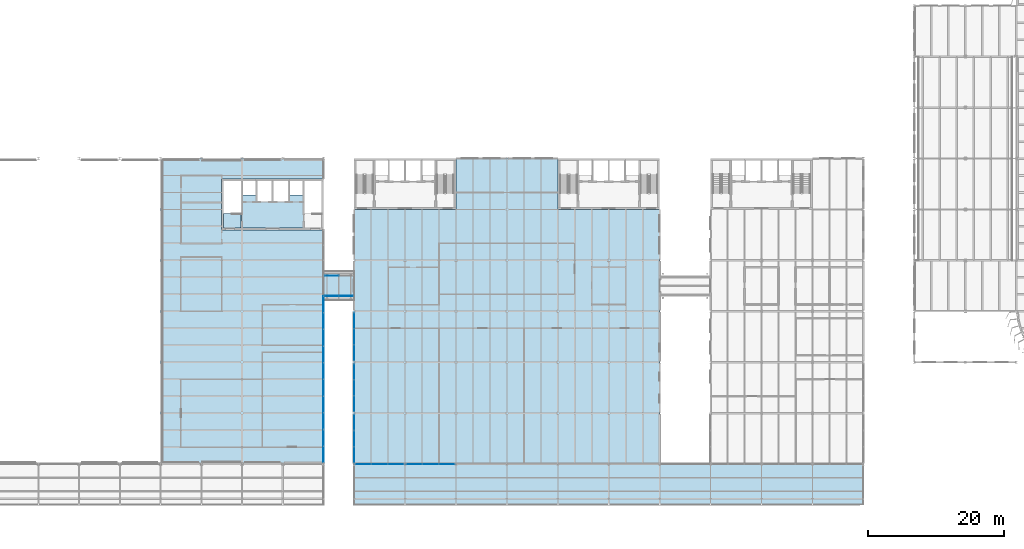
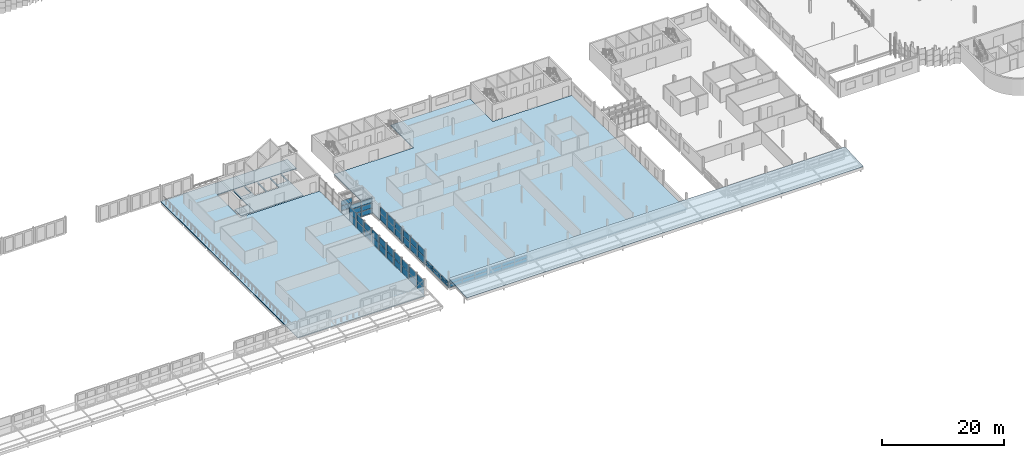
# One storey, part 57 of 214: 58 plates, 6 slabs, 9 elements without a shape of their own.
"""IFC4 building model written with IfcOpenShell, lengths in metres."""

from ifc_helpers import new_model, si_unit, direction, frame, origin, origin_2d, place, context, subcontext, project, spatial, polyline, rectangle, outline, extrude, material, layer, layer_set, type_object, element, aggregate, save


model = new_model("IFC4")

# Units and contexts
model_context = context("Model", 3, precision=1e-05, world=origin(), true_north=direction((0.0, 1.0)))
body_context = subcontext(model_context, "Body", "Model", "MODEL_VIEW")
ifc_project = project(units=[si_unit("LENGTHUNIT", "METRE"), si_unit("AREAUNIT", "SQUARE_METRE"), si_unit("VOLUMEUNIT", "CUBIC_METRE"), si_unit("PLANEANGLEUNIT", "RADIAN"), si_unit("MASSUNIT", "GRAM", prefix="KILO")], contexts=[model_context])

# Site, building, storey
site_placement = place(None, origin())
site = spatial("IfcSite", under=ifc_project, at=site_placement, CompositionType="ELEMENT")
building_placement = place(site_placement, origin())
building = spatial("IfcBuilding", under=site, at=building_placement, Name="Parallax Yard Mobility Hub", CompositionType="ELEMENT")
storey_placement = place(building_placement, frame((0.0, 0.0, 3.300048828125)))
storey = spatial("IfcBuildingStorey", under=building, at=storey_placement, Name="L01", CompositionType="ELEMENT", Elevation=3.300048828125)

# Slabs
ifc_material_1 = material(Name="Steel ASTM A653 Gr 50 deck with insulated sheet", Category="steel")
ifc_layer_1 = layer(ifc_material_1, 0.1201171875)
ifc_layer_set_1 = layer_set([ifc_layer_1], Name="Arcade roof plate")
slab_type_1 = type_object("IfcSlabType", Name="Arcade roof plate", PredefinedType="ROOF", material=ifc_layer_set_1)
slab_1_placement = place(storey_placement, frame((97.5, 1.5, 1.630615234375), z_axis=(0.0, -0.049945724537, 0.998751933465), x_axis=(1.0, 0.0, 0.0)))
element("IfcSlab", 1, at=slab_1_placement, inside=storey, type_object=slab_type_1, Name="Roof plate arcade south front of the service centre and bicycle hall", PredefinedType="ROOF", context=body_context, shape_type="SweptSolid", body=[
    extrude(outline(polyline([(0.0, 0.0), (75.0, 0.0), (75.0, 6.007497756908378), (0.0, 6.007497756908378), (0.0, 0.0)])), origin(), (0.0, 0.0, -1.0), 0.1201171875),
])
ifc_material_2 = material(Name="Composite slab: Concrete fc' 28 MPa on 76 mm steel deck", Category="concrete")
ifc_layer_2 = layer(ifc_material_2, 0.139892578125)
ifc_layer_set_2 = layer_set([ifc_layer_2], Name="Bridge deck slab")
slab_type_2 = type_object("IfcSlabType", Name="Bridge deck slab", PredefinedType="FLOOR", material=ifc_layer_set_2)
slab_2_placement = place(storey_placement, frame((0.0, 0.0, -0.14013671875)))
element("IfcSlab", 2, at=slab_2_placement, inside=storey, type_object=slab_type_2, Name="Bridge BR1 level L01 deck", PredefinedType="FLOOR", context=body_context, shape_type="SweptSolid", body=[
    extrude(outline(polyline([(93.0, 32.25), (97.5, 32.25), (97.5, 35.25), (93.0, 35.25), (93.0, 32.25)])), origin(), (0.0, 0.0, 1.0), 0.14013671875),
])
ifc_layer_3 = layer(ifc_material_2, 0.139892578125)
ifc_layer_set_3 = layer_set([ifc_layer_3], Name="Composite floor slab 140")
slab_type_3 = type_object("IfcSlabType", Name="Composite floor slab 140", PredefinedType="FLOOR", material=ifc_layer_set_3)
slab_3_placement = place(storey_placement, frame((0.0, 0.0, -0.14013671875)))
element("IfcSlab", 3, at=slab_3_placement, inside=storey, type_object=slab_type_3, Name="Composite floor slab level L01 of the mobility service centre and workshops", PredefinedType="FLOOR", context=body_context, shape_type="SweptSolid", body=[
    extrude(outline(polyline([(142.5, 7.5), (142.5, 45.0), (127.5, 45.0), (127.5, 52.5), (112.5, 52.5), (112.5, 45.0), (97.5, 45.0), (97.5, 7.5), (142.5, 7.5)])), origin(), (0.0, 0.0, 1.0), 0.14013671875),
])
slab_4_placement = place(storey_placement, frame((0.0, 0.0, -0.14013671875)))
element("IfcSlab", 4, at=slab_4_placement, inside=storey, type_object=slab_type_3, Name="Composite floor slab level L01 of the bus and taxi deck", PredefinedType="FLOOR", context=body_context, shape_type="SweptSolid", body=[
    extrude(outline(polyline([(93.0, 7.5), (93.0, 42.0), (78.0, 42.0), (78.0, 49.5), (93.0, 49.5), (93.0, 52.5), (69.0, 52.5), (69.0, 7.5), (93.0, 7.5)])), origin(), (0.0, 0.0, 1.0), 0.14013671875),
])
ifc_material_3 = material(Name="Concrete fc' 35 MPa", Category="concrete")
ifc_layer_4 = layer(ifc_material_3, 0.199951171875)
ifc_layer_set_4 = layer_set([ifc_layer_4], Name="Core floor slab 200")
slab_type_4 = type_object("IfcSlabType", Name="Core floor slab 200", PredefinedType="FLOOR", material=ifc_layer_set_4)
slab_5_placement = place(storey_placement, frame((0.0, 0.0, -0.199951171875)))
element("IfcSlab", 5, at=slab_5_placement, inside=storey, type_object=slab_type_4, Name="Core C1 floor slab level L01", PredefinedType="FLOOR", context=body_context, shape_type="SweptSolid", body=[
    extrude(outline(polyline([(85.39990234375, 46.199951171875), (85.39990234375, 49.199951171875), (85.60009765625, 49.199951171875), (85.60009765625, 46.199951171875), (87.800048828125, 46.199951171875), (87.800048828125, 49.199951171875), (88.0, 49.199951171875), (88.0, 47.10009765625), (89.89990234375, 47.10009765625), (89.89990234375, 49.199951171875), (90.14990234375, 49.199951171875), (90.14990234375, 42.300048828125), (80.85009765625, 42.300048828125), (80.85009765625, 49.199951171875), (81.10009765625, 49.199951171875), (81.10009765625, 47.10009765625), (83.0, 47.10009765625), (83.0, 49.199951171875), (83.199951171875, 49.199951171875), (83.199951171875, 46.199951171875), (85.39990234375, 46.199951171875)])), origin(), (0.0, 0.0, 1.0), 0.199951171875),
])

# Curtain wall, plates
ifc_material_4 = material(Name="Thermally broken aluminium curtain wall system", Category="aluminium")
curtain_wall_type_1 = type_object("IfcCurtainWallType", Name="Bridge curtain wall run 50 x 120 frame", PredefinedType="NOTDEFINED", material=ifc_material_4)
curtain_wall_1_placement = place(storey_placement, origin())
curtain_wall_1 = element("IfcCurtainWall", 6, at=curtain_wall_1_placement, inside=storey, type_object=curtain_wall_type_1, Name="Curtain wall run bridge BR1 south side level L01", PredefinedType="NOTDEFINED")
ifc_material_5 = material(Name="Laminated low-E double glazing", Category="glass")
ifc_layer_5 = layer(ifc_material_5, 0.02392578125)
ifc_layer_set_5 = layer_set([ifc_layer_5], Name="Glazing panel 24")
plate_type_1 = type_object("IfcPlateType", Name="Glazing panel 24", PredefinedType="CURTAIN_PANEL", material=ifc_layer_set_5)
plate_1_placement = place(storey_placement, frame((94.206298828125, 32.25, 0.050048828125), z_axis=(0.0, 0.0, 1.0), x_axis=(1.0, 0.0, 0.0)))
plate_1 = element("IfcPlate", 7, at=plate_1_placement, type_object=plate_type_1, Name="CW2 panel 1.1", PredefinedType="CURTAIN_PANEL", context=body_context, shape_type="SweptSolid", body=[
    extrude(rectangle(XDim=2.012451171875, YDim=0.02392578125, at=origin_2d()), origin(), (0.0, 0.0, 1.0), 0.95703125),
])
plate_2_placement = place(storey_placement, frame((94.206298828125, 32.25, 1.056884765625), z_axis=(0.0, 0.0, 1.0), x_axis=(1.0, 0.0, 0.0)))
plate_2 = element("IfcPlate", 8, at=plate_2_placement, type_object=plate_type_1, Name="CW2 panel 1.2", PredefinedType="CURTAIN_PANEL", context=body_context, shape_type="SweptSolid", body=[
    extrude(rectangle(XDim=2.012451171875, YDim=0.02392578125, at=origin_2d()), origin(), (0.0, 0.0, 1.0), 0.98193359375),
])
plate_3_placement = place(storey_placement, frame((94.206298828125, 32.25, 2.0888671875), z_axis=(0.0, 0.0, 1.0), x_axis=(1.0, 0.0, 0.0)))
plate_3 = element("IfcPlate", 9, at=plate_3_placement, type_object=plate_type_1, Name="CW2 panel 1.3", PredefinedType="CURTAIN_PANEL", context=body_context, shape_type="SweptSolid", body=[
    extrude(rectangle(XDim=2.012451171875, YDim=0.02392578125, at=origin_2d()), origin(), (0.0, 0.0, 1.0), 0.95703125),
])
aggregate(curtain_wall_1, [plate_1, plate_2, plate_3])

curtain_wall_2_placement = place(storey_placement, origin())
curtain_wall_2 = element("IfcCurtainWall", 10, at=curtain_wall_2_placement, inside=storey, type_object=curtain_wall_type_1, Name="Curtain wall run bridge BR1 south side level L01", PredefinedType="NOTDEFINED")
plate_4_placement = place(storey_placement, frame((96.31884765625, 32.25, 0.050048828125), z_axis=(0.0, 0.0, 1.0), x_axis=(1.0, 0.0, 0.0)))
plate_4 = element("IfcPlate", 11, at=plate_4_placement, type_object=plate_type_1, Name="CW2 panel 1.1", PredefinedType="CURTAIN_PANEL", context=body_context, shape_type="SweptSolid", body=[
    extrude(rectangle(XDim=2.012451171875, YDim=0.02392578125, at=origin_2d()), origin(), (0.0, 0.0, 1.0), 0.95703125),
])
plate_5_placement = place(storey_placement, frame((96.31884765625, 32.25, 1.056884765625), z_axis=(0.0, 0.0, 1.0), x_axis=(1.0, 0.0, 0.0)))
plate_5 = element("IfcPlate", 12, at=plate_5_placement, type_object=plate_type_1, Name="CW2 panel 1.2", PredefinedType="CURTAIN_PANEL", context=body_context, shape_type="SweptSolid", body=[
    extrude(rectangle(XDim=2.012451171875, YDim=0.02392578125, at=origin_2d()), origin(), (0.0, 0.0, 1.0), 0.98193359375),
])
plate_6_placement = place(storey_placement, frame((96.31884765625, 32.25, 2.0888671875), z_axis=(0.0, 0.0, 1.0), x_axis=(1.0, 0.0, 0.0)))
plate_6 = element("IfcPlate", 13, at=plate_6_placement, type_object=plate_type_1, Name="CW2 panel 1.3", PredefinedType="CURTAIN_PANEL", context=body_context, shape_type="SweptSolid", body=[
    extrude(rectangle(XDim=2.012451171875, YDim=0.02392578125, at=origin_2d()), origin(), (0.0, 0.0, 1.0), 0.95703125),
])
aggregate(curtain_wall_2, [plate_4, plate_5, plate_6])

curtain_wall_3_placement = place(storey_placement, origin())
curtain_wall_3 = element("IfcCurtainWall", 14, at=curtain_wall_3_placement, inside=storey, type_object=curtain_wall_type_1, Name="Curtain wall run bridge BR1 north side level L01", PredefinedType="NOTDEFINED")
plate_7_placement = place(storey_placement, frame((94.206298828125, 35.25, 0.050048828125), z_axis=(0.0, 0.0, 1.0), x_axis=(1.0, 0.0, 0.0)))
plate_7 = element("IfcPlate", 15, at=plate_7_placement, type_object=plate_type_1, Name="CW2 panel 1.1", PredefinedType="CURTAIN_PANEL", context=body_context, shape_type="SweptSolid", body=[
    extrude(rectangle(XDim=2.012451171875, YDim=0.02392578125, at=origin_2d()), origin(), (0.0, 0.0, 1.0), 0.95703125),
])
plate_8_placement = place(storey_placement, frame((94.206298828125, 35.25, 1.056884765625), z_axis=(0.0, 0.0, 1.0), x_axis=(1.0, 0.0, 0.0)))
plate_8 = element("IfcPlate", 16, at=plate_8_placement, type_object=plate_type_1, Name="CW2 panel 1.2", PredefinedType="CURTAIN_PANEL", context=body_context, shape_type="SweptSolid", body=[
    extrude(rectangle(XDim=2.012451171875, YDim=0.02392578125, at=origin_2d()), origin(), (0.0, 0.0, 1.0), 0.98193359375),
])
aggregate(curtain_wall_3, [plate_7, plate_8])

curtain_wall_type_2 = type_object("IfcCurtainWallType", Name="Curtain wall run 60 x 160 frame", PredefinedType="NOTDEFINED", material=ifc_material_4)
curtain_wall_4_placement = place(storey_placement, origin())
curtain_wall_4 = element("IfcCurtainWall", 17, at=curtain_wall_4_placement, inside=storey, type_object=curtain_wall_type_2, Name="Curtain wall run Bus and taxi deck east end bay 1 level L01", PredefinedType="NOTDEFINED")
ifc_layer_6 = layer(ifc_material_5, 0.028076171875)
ifc_layer_set_6 = layer_set([ifc_layer_6], Name="Glazing panel 28")
plate_type_2 = type_object("IfcPlateType", Name="Glazing panel 28", PredefinedType="CURTAIN_PANEL", material=ifc_layer_set_6)
plate_9_placement = place(storey_placement, frame((93.0, 8.9296875, 0.06005859375), z_axis=(0.0, 0.0, 1.0), x_axis=(0.0, 1.0, 0.0)))
plate_9 = element("IfcPlate", 18, at=plate_9_placement, type_object=plate_type_2, Name="CW1 panel 1.1", PredefinedType="CURTAIN_PANEL", context=body_context, shape_type="SweptSolid", body=[
    extrude(rectangle(XDim=2.366455078125, YDim=0.028076171875, at=origin_2d()), origin(), (0.0, 0.0, 1.0), 1.35693359375),
])
plate_10_placement = place(storey_placement, frame((93.0, 8.9296875, 1.47705078125), z_axis=(0.0, 0.0, 1.0), x_axis=(0.0, 1.0, 0.0)))
plate_10 = element("IfcPlate", 19, at=plate_10_placement, type_object=plate_type_2, Name="CW1 panel 1.2", PredefinedType="CURTAIN_PANEL", context=body_context, shape_type="SweptSolid", body=[
    extrude(rectangle(XDim=2.366455078125, YDim=0.028076171875, at=origin_2d()), origin(), (0.0, 0.0, 1.0), 1.35693359375),
])
plate_11_placement = place(storey_placement, frame((93.0, 11.37109375, 0.06005859375), z_axis=(0.0, 0.0, 1.0), x_axis=(0.0, 1.0, 0.0)))
plate_11 = element("IfcPlate", 20, at=plate_11_placement, type_object=plate_type_2, Name="CW1 panel 2.1", PredefinedType="CURTAIN_PANEL", context=body_context, shape_type="SweptSolid", body=[
    extrude(rectangle(XDim=2.396240234375, YDim=0.028076171875, at=origin_2d()), origin(), (0.0, 0.0, 1.0), 1.35693359375),
])
plate_12_placement = place(storey_placement, frame((93.0, 11.37109375, 1.47705078125), z_axis=(0.0, 0.0, 1.0), x_axis=(0.0, 1.0, 0.0)))
plate_12 = element("IfcPlate", 21, at=plate_12_placement, type_object=plate_type_2, Name="CW1 panel 2.2", PredefinedType="CURTAIN_PANEL", context=body_context, shape_type="SweptSolid", body=[
    extrude(rectangle(XDim=2.396240234375, YDim=0.028076171875, at=origin_2d()), origin(), (0.0, 0.0, 1.0), 1.35693359375),
])
plate_13_placement = place(storey_placement, frame((93.0, 13.827392578125, 0.06005859375), z_axis=(0.0, 0.0, 1.0), x_axis=(0.0, 1.0, 0.0)))
plate_13 = element("IfcPlate", 22, at=plate_13_placement, type_object=plate_type_2, Name="CW1 panel 3.1", PredefinedType="CURTAIN_PANEL", context=body_context, shape_type="SweptSolid", body=[
    extrude(rectangle(XDim=2.396240234375, YDim=0.028076171875, at=origin_2d()), origin(), (0.0, 0.0, 1.0), 1.35693359375),
])
plate_14_placement = place(storey_placement, frame((93.0, 13.827392578125, 1.47705078125), z_axis=(0.0, 0.0, 1.0), x_axis=(0.0, 1.0, 0.0)))
plate_14 = element("IfcPlate", 23, at=plate_14_placement, type_object=plate_type_2, Name="CW1 panel 3.2", PredefinedType="CURTAIN_PANEL", context=body_context, shape_type="SweptSolid", body=[
    extrude(rectangle(XDim=2.396240234375, YDim=0.028076171875, at=origin_2d()), origin(), (0.0, 0.0, 1.0), 1.35693359375),
])
plate_15_placement = place(storey_placement, frame((93.0, 16.28369140625, 0.06005859375), z_axis=(0.0, 0.0, 1.0), x_axis=(0.0, 1.0, 0.0)))
plate_15 = element("IfcPlate", 24, at=plate_15_placement, type_object=plate_type_2, Name="CW1 panel 4.1", PredefinedType="CURTAIN_PANEL", context=body_context, shape_type="SweptSolid", body=[
    extrude(rectangle(XDim=2.396240234375, YDim=0.028076171875, at=origin_2d()), origin(), (0.0, 0.0, 1.0), 1.35693359375),
])
plate_16_placement = place(storey_placement, frame((93.0, 16.28369140625, 1.47705078125), z_axis=(0.0, 0.0, 1.0), x_axis=(0.0, 1.0, 0.0)))
plate_16 = element("IfcPlate", 25, at=plate_16_placement, type_object=plate_type_2, Name="CW1 panel 4.2", PredefinedType="CURTAIN_PANEL", context=body_context, shape_type="SweptSolid", body=[
    extrude(rectangle(XDim=2.396240234375, YDim=0.028076171875, at=origin_2d()), origin(), (0.0, 0.0, 1.0), 1.35693359375),
])
plate_17_placement = place(storey_placement, frame((93.0, 18.739990234375, 0.06005859375), z_axis=(0.0, 0.0, 1.0), x_axis=(0.0, 1.0, 0.0)))
plate_17 = element("IfcPlate", 26, at=plate_17_placement, type_object=plate_type_2, Name="CW1 panel 5.1", PredefinedType="CURTAIN_PANEL", context=body_context, shape_type="SweptSolid", body=[
    extrude(rectangle(XDim=2.396240234375, YDim=0.028076171875, at=origin_2d()), origin(), (0.0, 0.0, 1.0), 1.35693359375),
])
plate_18_placement = place(storey_placement, frame((93.0, 18.739990234375, 1.47705078125), z_axis=(0.0, 0.0, 1.0), x_axis=(0.0, 1.0, 0.0)))
plate_18 = element("IfcPlate", 27, at=plate_18_placement, type_object=plate_type_2, Name="CW1 panel 5.2", PredefinedType="CURTAIN_PANEL", context=body_context, shape_type="SweptSolid", body=[
    extrude(rectangle(XDim=2.396240234375, YDim=0.028076171875, at=origin_2d()), origin(), (0.0, 0.0, 1.0), 1.35693359375),
])
plate_19_placement = place(storey_placement, frame((93.0, 21.196533203125, 0.06005859375), z_axis=(0.0, 0.0, 1.0), x_axis=(0.0, 1.0, 0.0)))
plate_19 = element("IfcPlate", 28, at=plate_19_placement, type_object=plate_type_2, Name="CW1 panel 6.1", PredefinedType="CURTAIN_PANEL", context=body_context, shape_type="SweptSolid", body=[
    extrude(rectangle(XDim=2.396240234375, YDim=0.028076171875, at=origin_2d()), origin(), (0.0, 0.0, 1.0), 1.35693359375),
])
plate_20_placement = place(storey_placement, frame((93.0, 21.196533203125, 1.47705078125), z_axis=(0.0, 0.0, 1.0), x_axis=(0.0, 1.0, 0.0)))
plate_20 = element("IfcPlate", 29, at=plate_20_placement, type_object=plate_type_2, Name="CW1 panel 6.2", PredefinedType="CURTAIN_PANEL", context=body_context, shape_type="SweptSolid", body=[
    extrude(rectangle(XDim=2.396240234375, YDim=0.028076171875, at=origin_2d()), origin(), (0.0, 0.0, 1.0), 1.35693359375),
])
plate_21_placement = place(storey_placement, frame((93.0, 23.65283203125, 0.06005859375), z_axis=(0.0, 0.0, 1.0), x_axis=(0.0, 1.0, 0.0)))
plate_21 = element("IfcPlate", 30, at=plate_21_placement, type_object=plate_type_2, Name="CW1 panel 7.1", PredefinedType="CURTAIN_PANEL", context=body_context, shape_type="SweptSolid", body=[
    extrude(rectangle(XDim=2.396240234375, YDim=0.028076171875, at=origin_2d()), origin(), (0.0, 0.0, 1.0), 1.35693359375),
])
plate_22_placement = place(storey_placement, frame((93.0, 23.65283203125, 1.47705078125), z_axis=(0.0, 0.0, 1.0), x_axis=(0.0, 1.0, 0.0)))
plate_22 = element("IfcPlate", 31, at=plate_22_placement, type_object=plate_type_2, Name="CW1 panel 7.2", PredefinedType="CURTAIN_PANEL", context=body_context, shape_type="SweptSolid", body=[
    extrude(rectangle(XDim=2.396240234375, YDim=0.028076171875, at=origin_2d()), origin(), (0.0, 0.0, 1.0), 1.35693359375),
])
plate_23_placement = place(storey_placement, frame((93.0, 26.109130859375, 0.06005859375), z_axis=(0.0, 0.0, 1.0), x_axis=(0.0, 1.0, 0.0)))
plate_23 = element("IfcPlate", 32, at=plate_23_placement, type_object=plate_type_2, Name="CW1 panel 8.1", PredefinedType="CURTAIN_PANEL", context=body_context, shape_type="SweptSolid", body=[
    extrude(rectangle(XDim=2.396240234375, YDim=0.028076171875, at=origin_2d()), origin(), (0.0, 0.0, 1.0), 1.35693359375),
])
plate_24_placement = place(storey_placement, frame((93.0, 26.109130859375, 1.47705078125), z_axis=(0.0, 0.0, 1.0), x_axis=(0.0, 1.0, 0.0)))
plate_24 = element("IfcPlate", 33, at=plate_24_placement, type_object=plate_type_2, Name="CW1 panel 8.2", PredefinedType="CURTAIN_PANEL", context=body_context, shape_type="SweptSolid", body=[
    extrude(rectangle(XDim=2.396240234375, YDim=0.028076171875, at=origin_2d()), origin(), (0.0, 0.0, 1.0), 1.35693359375),
])
plate_25_placement = place(storey_placement, frame((93.0, 28.5654296875, 0.06005859375), z_axis=(0.0, 0.0, 1.0), x_axis=(0.0, 1.0, 0.0)))
plate_25 = element("IfcPlate", 34, at=plate_25_placement, type_object=plate_type_2, Name="CW1 panel 9.1", PredefinedType="CURTAIN_PANEL", context=body_context, shape_type="SweptSolid", body=[
    extrude(rectangle(XDim=2.396240234375, YDim=0.028076171875, at=origin_2d()), origin(), (0.0, 0.0, 1.0), 1.35693359375),
])
plate_26_placement = place(storey_placement, frame((93.0, 28.5654296875, 1.47705078125), z_axis=(0.0, 0.0, 1.0), x_axis=(0.0, 1.0, 0.0)))
plate_26 = element("IfcPlate", 35, at=plate_26_placement, type_object=plate_type_2, Name="CW1 panel 9.2", PredefinedType="CURTAIN_PANEL", context=body_context, shape_type="SweptSolid", body=[
    extrude(rectangle(XDim=2.396240234375, YDim=0.028076171875, at=origin_2d()), origin(), (0.0, 0.0, 1.0), 1.35693359375),
])
plate_27_placement = place(storey_placement, frame((93.0, 31.0068359375, 0.06005859375), z_axis=(0.0, 0.0, 1.0), x_axis=(0.0, 1.0, 0.0)))
plate_27 = element("IfcPlate", 36, at=plate_27_placement, type_object=plate_type_2, Name="CW1 panel 10.1", PredefinedType="CURTAIN_PANEL", context=body_context, shape_type="SweptSolid", body=[
    extrude(rectangle(XDim=2.366455078125, YDim=0.028076171875, at=origin_2d()), origin(), (0.0, 0.0, 1.0), 1.35693359375),
])
plate_28_placement = place(storey_placement, frame((93.0, 31.0068359375, 1.47705078125), z_axis=(0.0, 0.0, 1.0), x_axis=(0.0, 1.0, 0.0)))
plate_28 = element("IfcPlate", 37, at=plate_28_placement, type_object=plate_type_2, Name="CW1 panel 10.2", PredefinedType="CURTAIN_PANEL", context=body_context, shape_type="SweptSolid", body=[
    extrude(rectangle(XDim=2.366455078125, YDim=0.028076171875, at=origin_2d()), origin(), (0.0, 0.0, 1.0), 1.35693359375),
])
aggregate(curtain_wall_4, [plate_9, plate_10, plate_11, plate_12, plate_13, plate_14, plate_15, plate_16, plate_17, plate_18, plate_19, plate_20, plate_21, plate_22, plate_23, plate_24, plate_25, plate_26, plate_27, plate_28])

curtain_wall_5_placement = place(storey_placement, origin())
curtain_wall_5 = element("IfcCurtainWall", 38, at=curtain_wall_5_placement, inside=storey, type_object=curtain_wall_type_2, Name="Curtain wall run Mobility service centre and workshops south bay 1 level L01", PredefinedType="NOTDEFINED")
plate_29_placement = place(storey_placement, frame((98.867431640625, 7.5, 0.06005859375), z_axis=(0.0, 0.0, 1.0), x_axis=(1.0, 0.0, 0.0)))
plate_29 = element("IfcPlate", 39, at=plate_29_placement, type_object=plate_type_2, Name="CW1 panel 1.1", PredefinedType="CURTAIN_PANEL", context=body_context, shape_type="SweptSolid", body=[
    extrude(rectangle(XDim=2.3076171875, YDim=0.028076171875, at=origin_2d()), origin(), (0.0, 0.0, 1.0), 0.630126953125),
])
plate_30_placement = place(storey_placement, frame((98.867431640625, 7.5, 0.75), z_axis=(0.0, 0.0, 1.0), x_axis=(1.0, 0.0, 0.0)))
plate_30 = element("IfcPlate", 40, at=plate_30_placement, type_object=plate_type_2, Name="CW1 panel 1.2", PredefinedType="CURTAIN_PANEL", context=body_context, shape_type="SweptSolid", body=[
    extrude(rectangle(XDim=2.3076171875, YDim=0.028076171875, at=origin_2d()), origin(), (0.0, 0.0, 1.0), 0.63037109375),
])
plate_31_placement = place(storey_placement, frame((101.25, 7.5, 0.06005859375), z_axis=(0.0, 0.0, 1.0), x_axis=(1.0, 0.0, 0.0)))
plate_31 = element("IfcPlate", 41, at=plate_31_placement, type_object=plate_type_2, Name="CW1 panel 2.1", PredefinedType="CURTAIN_PANEL", context=body_context, shape_type="SweptSolid", body=[
    extrude(rectangle(XDim=2.337646484375, YDim=0.028076171875, at=origin_2d()), origin(), (0.0, 0.0, 1.0), 0.630126953125),
])
plate_32_placement = place(storey_placement, frame((101.25, 7.5, 0.75), z_axis=(0.0, 0.0, 1.0), x_axis=(1.0, 0.0, 0.0)))
plate_32 = element("IfcPlate", 42, at=plate_32_placement, type_object=plate_type_2, Name="CW1 panel 2.2", PredefinedType="CURTAIN_PANEL", context=body_context, shape_type="SweptSolid", body=[
    extrude(rectangle(XDim=2.337646484375, YDim=0.028076171875, at=origin_2d()), origin(), (0.0, 0.0, 1.0), 0.63037109375),
])
plate_33_placement = place(storey_placement, frame((103.632568359375, 7.5, 0.06005859375), z_axis=(0.0, 0.0, 1.0), x_axis=(1.0, 0.0, 0.0)))
plate_33 = element("IfcPlate", 43, at=plate_33_placement, type_object=plate_type_2, Name="CW1 panel 3.1", PredefinedType="CURTAIN_PANEL", context=body_context, shape_type="SweptSolid", body=[
    extrude(rectangle(XDim=2.3076171875, YDim=0.028076171875, at=origin_2d()), origin(), (0.0, 0.0, 1.0), 0.630126953125),
])
plate_34_placement = place(storey_placement, frame((103.632568359375, 7.5, 0.75), z_axis=(0.0, 0.0, 1.0), x_axis=(1.0, 0.0, 0.0)))
plate_34 = element("IfcPlate", 44, at=plate_34_placement, type_object=plate_type_2, Name="CW1 panel 3.2", PredefinedType="CURTAIN_PANEL", context=body_context, shape_type="SweptSolid", body=[
    extrude(rectangle(XDim=2.3076171875, YDim=0.028076171875, at=origin_2d()), origin(), (0.0, 0.0, 1.0), 0.63037109375),
])
aggregate(curtain_wall_5, [plate_29, plate_30, plate_31, plate_32, plate_33, plate_34])

curtain_wall_6_placement = place(storey_placement, origin())
curtain_wall_6 = element("IfcCurtainWall", 45, at=curtain_wall_6_placement, inside=storey, type_object=curtain_wall_type_2, Name="Curtain wall run Mobility service centre and workshops south bay 2 level L01", PredefinedType="NOTDEFINED")
plate_35_placement = place(storey_placement, frame((106.367431640625, 7.5, 0.06005859375), z_axis=(0.0, 0.0, 1.0), x_axis=(1.0, 0.0, 0.0)))
plate_35 = element("IfcPlate", 46, at=plate_35_placement, type_object=plate_type_2, Name="CW1 panel 1.1", PredefinedType="CURTAIN_PANEL", context=body_context, shape_type="SweptSolid", body=[
    extrude(rectangle(XDim=2.3076171875, YDim=0.028076171875, at=origin_2d()), origin(), (0.0, 0.0, 1.0), 0.630126953125),
])
plate_36_placement = place(storey_placement, frame((106.367431640625, 7.5, 0.75), z_axis=(0.0, 0.0, 1.0), x_axis=(1.0, 0.0, 0.0)))
plate_36 = element("IfcPlate", 47, at=plate_36_placement, type_object=plate_type_2, Name="CW1 panel 1.2", PredefinedType="CURTAIN_PANEL", context=body_context, shape_type="SweptSolid", body=[
    extrude(rectangle(XDim=2.3076171875, YDim=0.028076171875, at=origin_2d()), origin(), (0.0, 0.0, 1.0), 0.63037109375),
])
plate_37_placement = place(storey_placement, frame((108.75, 7.5, 0.06005859375), z_axis=(0.0, 0.0, 1.0), x_axis=(1.0, 0.0, 0.0)))
plate_37 = element("IfcPlate", 48, at=plate_37_placement, type_object=plate_type_2, Name="CW1 panel 2.1", PredefinedType="CURTAIN_PANEL", context=body_context, shape_type="SweptSolid", body=[
    extrude(rectangle(XDim=2.337646484375, YDim=0.028076171875, at=origin_2d()), origin(), (0.0, 0.0, 1.0), 0.630126953125),
])
plate_38_placement = place(storey_placement, frame((108.75, 7.5, 0.75), z_axis=(0.0, 0.0, 1.0), x_axis=(1.0, 0.0, 0.0)))
plate_38 = element("IfcPlate", 49, at=plate_38_placement, type_object=plate_type_2, Name="CW1 panel 2.2", PredefinedType="CURTAIN_PANEL", context=body_context, shape_type="SweptSolid", body=[
    extrude(rectangle(XDim=2.337646484375, YDim=0.028076171875, at=origin_2d()), origin(), (0.0, 0.0, 1.0), 0.63037109375),
])
plate_39_placement = place(storey_placement, frame((111.132568359375, 7.5, 0.06005859375), z_axis=(0.0, 0.0, 1.0), x_axis=(1.0, 0.0, 0.0)))
plate_39 = element("IfcPlate", 50, at=plate_39_placement, type_object=plate_type_2, Name="CW1 panel 3.1", PredefinedType="CURTAIN_PANEL", context=body_context, shape_type="SweptSolid", body=[
    extrude(rectangle(XDim=2.3076171875, YDim=0.028076171875, at=origin_2d()), origin(), (0.0, 0.0, 1.0), 0.630126953125),
])
plate_40_placement = place(storey_placement, frame((111.132568359375, 7.5, 0.75), z_axis=(0.0, 0.0, 1.0), x_axis=(1.0, 0.0, 0.0)))
plate_40 = element("IfcPlate", 51, at=plate_40_placement, type_object=plate_type_2, Name="CW1 panel 3.2", PredefinedType="CURTAIN_PANEL", context=body_context, shape_type="SweptSolid", body=[
    extrude(rectangle(XDim=2.3076171875, YDim=0.028076171875, at=origin_2d()), origin(), (0.0, 0.0, 1.0), 0.63037109375),
])
aggregate(curtain_wall_6, [plate_35, plate_36, plate_37, plate_38, plate_39, plate_40])

curtain_wall_7_placement = place(storey_placement, origin())
curtain_wall_7 = element("IfcCurtainWall", 52, at=curtain_wall_7_placement, inside=storey, type_object=curtain_wall_type_2, Name="Curtain wall run Mobility service centre and workshops west bay 1 level L01", PredefinedType="NOTDEFINED")
plate_41_placement = place(storey_placement, frame((97.5, 8.867431640625, 0.06005859375), z_axis=(0.0, 0.0, 1.0), x_axis=(0.0, 1.0, 0.0)))
plate_41 = element("IfcPlate", 53, at=plate_41_placement, type_object=plate_type_2, Name="CW1 panel 1.1", PredefinedType="CURTAIN_PANEL", context=body_context, shape_type="SweptSolid", body=[
    extrude(rectangle(XDim=2.3076171875, YDim=0.028076171875, at=origin_2d()), origin(), (0.0, 0.0, 1.0), 0.488037109375),
])
plate_42_placement = place(storey_placement, frame((97.5, 8.867431640625, 0.60791015625), z_axis=(0.0, 0.0, 1.0), x_axis=(0.0, 1.0, 0.0)))
plate_42 = element("IfcPlate", 54, at=plate_42_placement, type_object=plate_type_2, Name="CW1 panel 1.2", PredefinedType="CURTAIN_PANEL", context=body_context, shape_type="SweptSolid", body=[
    extrude(rectangle(XDim=2.3076171875, YDim=0.028076171875, at=origin_2d()), origin(), (0.0, 0.0, 1.0), 0.488037109375),
])
plate_43_placement = place(storey_placement, frame((97.5, 11.25, 0.06005859375), z_axis=(0.0, 0.0, 1.0), x_axis=(0.0, 1.0, 0.0)))
plate_43 = element("IfcPlate", 55, at=plate_43_placement, type_object=plate_type_2, Name="CW1 panel 2.1", PredefinedType="CURTAIN_PANEL", context=body_context, shape_type="SweptSolid", body=[
    extrude(rectangle(XDim=2.337646484375, YDim=0.028076171875, at=origin_2d()), origin(), (0.0, 0.0, 1.0), 0.488037109375),
])
plate_44_placement = place(storey_placement, frame((97.5, 11.25, 0.60791015625), z_axis=(0.0, 0.0, 1.0), x_axis=(0.0, 1.0, 0.0)))
plate_44 = element("IfcPlate", 56, at=plate_44_placement, type_object=plate_type_2, Name="CW1 panel 2.2", PredefinedType="CURTAIN_PANEL", context=body_context, shape_type="SweptSolid", body=[
    extrude(rectangle(XDim=2.337646484375, YDim=0.028076171875, at=origin_2d()), origin(), (0.0, 0.0, 1.0), 0.488037109375),
])
plate_45_placement = place(storey_placement, frame((97.5, 13.632568359375, 0.06005859375), z_axis=(0.0, 0.0, 1.0), x_axis=(0.0, 1.0, 0.0)))
plate_45 = element("IfcPlate", 57, at=plate_45_placement, type_object=plate_type_2, Name="CW1 panel 3.1", PredefinedType="CURTAIN_PANEL", context=body_context, shape_type="SweptSolid", body=[
    extrude(rectangle(XDim=2.3076171875, YDim=0.028076171875, at=origin_2d()), origin(), (0.0, 0.0, 1.0), 0.488037109375),
])
plate_46_placement = place(storey_placement, frame((97.5, 13.632568359375, 0.60791015625), z_axis=(0.0, 0.0, 1.0), x_axis=(0.0, 1.0, 0.0)))
plate_46 = element("IfcPlate", 58, at=plate_46_placement, type_object=plate_type_2, Name="CW1 panel 3.2", PredefinedType="CURTAIN_PANEL", context=body_context, shape_type="SweptSolid", body=[
    extrude(rectangle(XDim=2.3076171875, YDim=0.028076171875, at=origin_2d()), origin(), (0.0, 0.0, 1.0), 0.488037109375),
])
aggregate(curtain_wall_7, [plate_41, plate_42, plate_43, plate_44, plate_45, plate_46])

curtain_wall_8_placement = place(storey_placement, origin())
curtain_wall_8 = element("IfcCurtainWall", 59, at=curtain_wall_8_placement, inside=storey, type_object=curtain_wall_type_2, Name="Curtain wall run Mobility service centre and workshops west bay 2 level L01", PredefinedType="NOTDEFINED")
plate_47_placement = place(storey_placement, frame((97.5, 16.367431640625, 0.06005859375), z_axis=(0.0, 0.0, 1.0), x_axis=(0.0, 1.0, 0.0)))
plate_47 = element("IfcPlate", 60, at=plate_47_placement, type_object=plate_type_2, Name="CW1 panel 1.1", PredefinedType="CURTAIN_PANEL", context=body_context, shape_type="SweptSolid", body=[
    extrude(rectangle(XDim=2.3076171875, YDim=0.028076171875, at=origin_2d()), origin(), (0.0, 0.0, 1.0), 1.285400390625),
])
plate_48_placement = place(storey_placement, frame((97.5, 16.367431640625, 1.4052734375), z_axis=(0.0, 0.0, 1.0), x_axis=(0.0, 1.0, 0.0)))
plate_48 = element("IfcPlate", 61, at=plate_48_placement, type_object=plate_type_2, Name="CW1 panel 1.2", PredefinedType="CURTAIN_PANEL", context=body_context, shape_type="SweptSolid", body=[
    extrude(rectangle(XDim=2.3076171875, YDim=0.028076171875, at=origin_2d()), origin(), (0.0, 0.0, 1.0), 1.285400390625),
])
plate_49_placement = place(storey_placement, frame((97.5, 18.75, 0.06005859375), z_axis=(0.0, 0.0, 1.0), x_axis=(0.0, 1.0, 0.0)))
plate_49 = element("IfcPlate", 62, at=plate_49_placement, type_object=plate_type_2, Name="CW1 panel 2.1", PredefinedType="CURTAIN_PANEL", context=body_context, shape_type="SweptSolid", body=[
    extrude(rectangle(XDim=2.337646484375, YDim=0.028076171875, at=origin_2d()), origin(), (0.0, 0.0, 1.0), 1.285400390625),
])
plate_50_placement = place(storey_placement, frame((97.5, 18.75, 1.4052734375), z_axis=(0.0, 0.0, 1.0), x_axis=(0.0, 1.0, 0.0)))
plate_50 = element("IfcPlate", 63, at=plate_50_placement, type_object=plate_type_2, Name="CW1 panel 2.2", PredefinedType="CURTAIN_PANEL", context=body_context, shape_type="SweptSolid", body=[
    extrude(rectangle(XDim=2.337646484375, YDim=0.028076171875, at=origin_2d()), origin(), (0.0, 0.0, 1.0), 1.285400390625),
])
plate_51_placement = place(storey_placement, frame((97.5, 21.132568359375, 0.06005859375), z_axis=(0.0, 0.0, 1.0), x_axis=(0.0, 1.0, 0.0)))
plate_51 = element("IfcPlate", 64, at=plate_51_placement, type_object=plate_type_2, Name="CW1 panel 3.1", PredefinedType="CURTAIN_PANEL", context=body_context, shape_type="SweptSolid", body=[
    extrude(rectangle(XDim=2.3076171875, YDim=0.028076171875, at=origin_2d()), origin(), (0.0, 0.0, 1.0), 1.285400390625),
])
plate_52_placement = place(storey_placement, frame((97.5, 21.132568359375, 1.4052734375), z_axis=(0.0, 0.0, 1.0), x_axis=(0.0, 1.0, 0.0)))
plate_52 = element("IfcPlate", 65, at=plate_52_placement, type_object=plate_type_2, Name="CW1 panel 3.2", PredefinedType="CURTAIN_PANEL", context=body_context, shape_type="SweptSolid", body=[
    extrude(rectangle(XDim=2.3076171875, YDim=0.028076171875, at=origin_2d()), origin(), (0.0, 0.0, 1.0), 1.285400390625),
])
aggregate(curtain_wall_8, [plate_47, plate_48, plate_49, plate_50, plate_51, plate_52])

curtain_wall_9_placement = place(storey_placement, origin())
curtain_wall_9 = element("IfcCurtainWall", 66, at=curtain_wall_9_placement, inside=storey, type_object=curtain_wall_type_2, Name="Curtain wall run Mobility service centre and workshops west bay 3 level L01", PredefinedType="NOTDEFINED")
plate_53_placement = place(storey_placement, frame((97.5, 23.867431640625, 0.06005859375), z_axis=(0.0, 0.0, 1.0), x_axis=(0.0, 1.0, 0.0)))
plate_53 = element("IfcPlate", 67, at=plate_53_placement, type_object=plate_type_2, Name="CW1 panel 1.1", PredefinedType="CURTAIN_PANEL", context=body_context, shape_type="SweptSolid", body=[
    extrude(rectangle(XDim=2.3076171875, YDim=0.028076171875, at=origin_2d()), origin(), (0.0, 0.0, 1.0), 1.285400390625),
])
plate_54_placement = place(storey_placement, frame((97.5, 23.867431640625, 1.4052734375), z_axis=(0.0, 0.0, 1.0), x_axis=(0.0, 1.0, 0.0)))
plate_54 = element("IfcPlate", 68, at=plate_54_placement, type_object=plate_type_2, Name="CW1 panel 1.2", PredefinedType="CURTAIN_PANEL", context=body_context, shape_type="SweptSolid", body=[
    extrude(rectangle(XDim=2.3076171875, YDim=0.028076171875, at=origin_2d()), origin(), (0.0, 0.0, 1.0), 1.285400390625),
])
plate_55_placement = place(storey_placement, frame((97.5, 26.25, 0.06005859375), z_axis=(0.0, 0.0, 1.0), x_axis=(0.0, 1.0, 0.0)))
plate_55 = element("IfcPlate", 69, at=plate_55_placement, type_object=plate_type_2, Name="CW1 panel 2.1", PredefinedType="CURTAIN_PANEL", context=body_context, shape_type="SweptSolid", body=[
    extrude(rectangle(XDim=2.337646484375, YDim=0.028076171875, at=origin_2d()), origin(), (0.0, 0.0, 1.0), 1.285400390625),
])
plate_56_placement = place(storey_placement, frame((97.5, 26.25, 1.4052734375), z_axis=(0.0, 0.0, 1.0), x_axis=(0.0, 1.0, 0.0)))
plate_56 = element("IfcPlate", 70, at=plate_56_placement, type_object=plate_type_2, Name="CW1 panel 2.2", PredefinedType="CURTAIN_PANEL", context=body_context, shape_type="SweptSolid", body=[
    extrude(rectangle(XDim=2.337646484375, YDim=0.028076171875, at=origin_2d()), origin(), (0.0, 0.0, 1.0), 1.285400390625),
])
plate_57_placement = place(storey_placement, frame((97.5, 28.632568359375, 0.06005859375), z_axis=(0.0, 0.0, 1.0), x_axis=(0.0, 1.0, 0.0)))
plate_57 = element("IfcPlate", 71, at=plate_57_placement, type_object=plate_type_2, Name="CW1 panel 3.1", PredefinedType="CURTAIN_PANEL", context=body_context, shape_type="SweptSolid", body=[
    extrude(rectangle(XDim=2.3076171875, YDim=0.028076171875, at=origin_2d()), origin(), (0.0, 0.0, 1.0), 1.285400390625),
])
plate_58_placement = place(storey_placement, frame((97.5, 28.632568359375, 1.4052734375), z_axis=(0.0, 0.0, 1.0), x_axis=(0.0, 1.0, 0.0)))
plate_58 = element("IfcPlate", 72, at=plate_58_placement, type_object=plate_type_2, Name="CW1 panel 3.2", PredefinedType="CURTAIN_PANEL", context=body_context, shape_type="SweptSolid", body=[
    extrude(rectangle(XDim=2.3076171875, YDim=0.028076171875, at=origin_2d()), origin(), (0.0, 0.0, 1.0), 1.285400390625),
])
aggregate(curtain_wall_9, [plate_53, plate_54, plate_55, plate_56, plate_57, plate_58])

# Slab
ifc_layer_7 = layer(ifc_material_3, 0.199951171875)
ifc_layer_set_7 = layer_set([ifc_layer_7], Name="Stair floor landing slab 200")
slab_type_5 = type_object("IfcSlabType", Name="Stair floor landing slab 200", PredefinedType="FLOOR", material=ifc_layer_set_7)
slab_6_placement = place(storey_placement, frame((0.0, 0.0, -0.199951171875)))
element("IfcSlab", 73, at=slab_6_placement, inside=storey, type_object=slab_type_5, Name="Core C1 exit stair 1 floor landing level L01", PredefinedType="FLOOR", context=body_context, shape_type="SweptSolid", body=[
    extrude(outline(polyline([(80.85009765625, 42.300048828125), (80.85009765625, 44.39990234375), (78.300048828125, 44.39990234375), (78.300048828125, 42.300048828125), (80.85009765625, 42.300048828125)])), origin(), (0.0, 0.0, 1.0), 0.199951171875),
])

save(model, "model.ifc")
